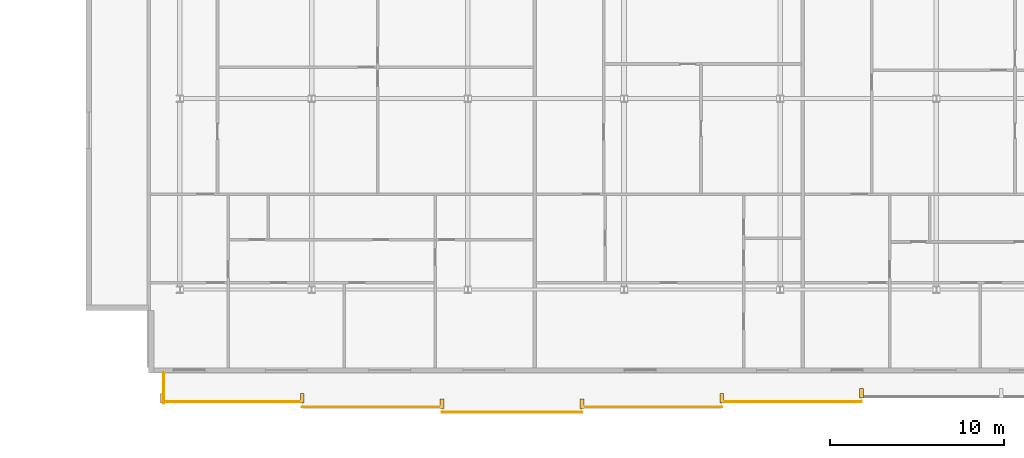
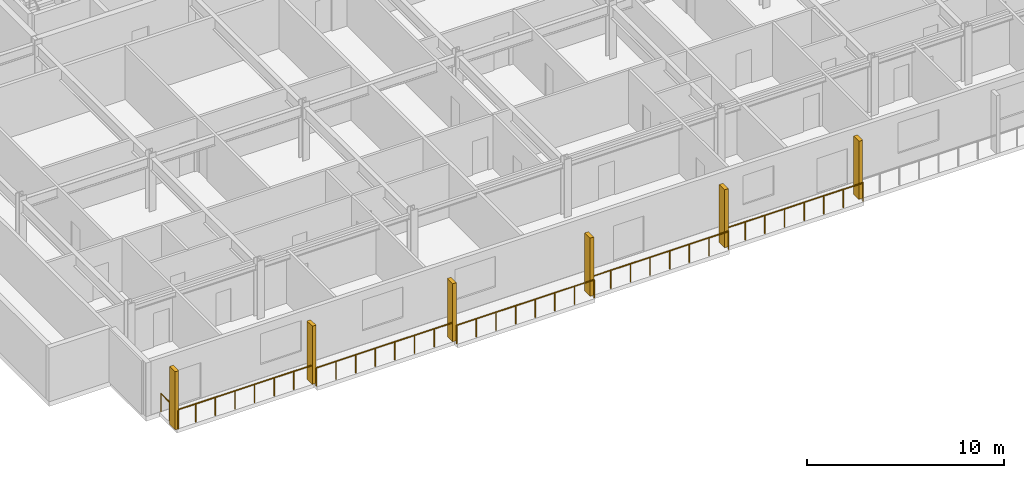
# One storey, part 31 of 36: 6 railings, 6 shading devices.
"""IFC4 building model written with IfcOpenShell, lengths in metres."""

from ifc_helpers import new_model, si_unit, direction, frame, origin, origin_2d, place, context, subcontext, project, spatial, rectangle, circle, extrude, material, type_object, element, save


model = new_model("IFC4")

# Units and contexts
model_context = context("Model", 3, precision=1e-05, world=origin(), true_north=direction((0.0, 1.0)))
body_context = subcontext(model_context, "Body", "Model", "MODEL_VIEW")
ifc_project = project(units=[si_unit("LENGTHUNIT", "METRE"), si_unit("AREAUNIT", "SQUARE_METRE"), si_unit("VOLUMEUNIT", "CUBIC_METRE"), si_unit("PLANEANGLEUNIT", "RADIAN"), si_unit("MASSUNIT", "GRAM", prefix="KILO")], contexts=[model_context])

# Site, building, storey
site_placement = place(None, origin())
site = spatial("IfcSite", under=ifc_project, at=site_placement, CompositionType="ELEMENT")
building_placement = place(site_placement, origin())
building = spatial("IfcBuilding", under=site, at=building_placement, Name="Korimba Cascade Residences", CompositionType="ELEMENT")
storey_placement = place(building_placement, frame((0.0, 0.0, 142.89990234375)))
storey = spatial("IfcBuildingStorey", under=building, at=storey_placement, Name="L41", CompositionType="ELEMENT", Elevation=142.89990234375)

# Railings
ifc_material_1 = material(Name="Laminated Glass and Bronze Balustrade", Category="glass")
railing_type = type_object("IfcRailingType", Name="RLG-LOG-1150", PredefinedType="BALUSTRADE", material=ifc_material_1)
for number, where, name in (
    (1, (73.5, -10.669921875, 0.0), "L41 Perimeter Guardrail RLG-L41-T2-LOG-01"),
    (2, (81.55712890625, -10.969970703125, 0.0), "L41 Perimeter Guardrail RLG-L41-T2-LOG-02"),
    (3, (89.6142578125, -11.27001953125, 0.0), "L41 Perimeter Guardrail RLG-L41-T2-LOG-03"),
    (4, (97.67138671875, -10.969970703125, 0.0), "L41 Perimeter Guardrail RLG-L41-T2-LOG-04"),
    (5, (105.728515625, -10.669921875, 0.0), "L41 Perimeter Guardrail RLG-L41-T2-LOG-05"),
):
    element("IfcRailing", number, at=place(storey_placement, frame(where)), inside=storey, type_object=railing_type, Name=name, PredefinedType="BALUSTRADE", context=body_context, shape_type="SweptSolid", body=[
        extrude(circle(Radius=0.02392578125, at=origin_2d()), frame((0.0, 0.0, 1.1259765625), z_axis=(1.0, 0.0, 0.0), x_axis=(0.0, 1.0, 0.0)), (0.0, 0.0, 1.0), 8.05712890625),
        extrude(circle(Radius=0.02099609375, at=origin_2d()), origin(), (0.0, 0.0, 1.0), 1.101806640625),
        extrude(circle(Radius=0.02099609375, at=origin_2d()), frame((1.151123046875, 0.0, 0.0)), (0.0, 0.0, 1.0), 1.101806640625),
        extrude(circle(Radius=0.02099609375, at=origin_2d()), frame((2.302001953125, 0.0, 0.0)), (0.0, 0.0, 1.0), 1.101806640625),
        extrude(circle(Radius=0.02099609375, at=origin_2d()), frame((3.453125, 0.0, 0.0)), (0.0, 0.0, 1.0), 1.101806640625),
        extrude(circle(Radius=0.02099609375, at=origin_2d()), frame((4.60400390625, 0.0, 0.0)), (0.0, 0.0, 1.0), 1.101806640625),
        extrude(circle(Radius=0.02099609375, at=origin_2d()), frame((5.755126953125, 0.0, 0.0)), (0.0, 0.0, 1.0), 1.101806640625),
        extrude(circle(Radius=0.02099609375, at=origin_2d()), frame((6.906005859375, 0.0, 0.0)), (0.0, 0.0, 1.0), 1.101806640625),
        extrude(circle(Radius=0.02099609375, at=origin_2d()), frame((8.05712890625, 0.0, 0.0)), (0.0, 0.0, 1.0), 1.101806640625),
    ])
railing_placement = place(storey_placement, frame((73.580078125, -9.0, 0.0)))
element("IfcRailing", 6, at=railing_placement, inside=storey, type_object=railing_type, Name="L41 Perimeter Guardrail RLG-L41-T2-LOG-08", PredefinedType="BALUSTRADE", context=body_context, shape_type="SweptSolid", body=[
    extrude(circle(Radius=0.02392578125, at=origin_2d()), frame((0.0, 0.0, 1.1259765625), z_axis=(0.0, -1.0, 0.0), x_axis=(1.0, 0.0, 0.0)), (0.0, 0.0, 1.0), 1.75),
    extrude(circle(Radius=0.02099609375, at=origin_2d()), origin(), (0.0, 0.0, 1.0), 1.101806640625),
    extrude(circle(Radius=0.02099609375, at=origin_2d()), frame((0.0, -0.875, 0.0)), (0.0, 0.0, 1.0), 1.101806640625),
    extrude(circle(Radius=0.02099609375, at=origin_2d()), frame((0.0, -1.75, 0.0)), (0.0, 0.0, 1.0), 1.101806640625),
])

# Shading devices
ifc_material_2 = material(Name="Honed Sandstone Precast Fin", Category="masonry")
shading_device_type = type_object("IfcShadingDeviceType", Name="SHD-FIN-550", PredefinedType="USERDEFINED", material=ifc_material_2)
for number, where, z_axis, x_axis, name in (
    (7, (73.5, -10.47509765625, 0.0), (0.0, 0.0, 1.0), (1.0, 0.0, 0.0), "L41 T2 Warm-Stone Loggia Fin 1"),
    (8, (81.55712890625, -10.47509765625, 0.0), (0.0, 0.0, 1.0), (1.0, 0.0, 0.0), "L41 T2 Warm-Stone Loggia Fin 2"),
    (9, (89.6142578125, -10.77490234375, 0.0), (0.0, 0.0, 1.0), (1.0, 0.0, 0.0), "L41 T2 Warm-Stone Loggia Fin 3"),
    (10, (97.67138671875, -10.77490234375, 0.0), (0.0, 0.0, 1.0), (1.0, 0.0, 0.0), "L41 T2 Warm-Stone Loggia Fin 4"),
    (11, (105.728515625, -10.47509765625, 0.0), (0.0, 0.0, 1.0), (1.0, 0.0, 0.0), "L41 T2 Warm-Stone Loggia Fin 5"),
    (12, (113.78564453125, -10.175048828125, 0.0), (0.0, 0.0, 1.0), (1.0, 0.0, 0.0), "L41 T2 Warm-Stone Loggia Fin 6"),
):
    element("IfcShadingDevice", number, at=place(storey_placement, frame(where, z_axis=z_axis, x_axis=x_axis)), inside=storey, type_object=shading_device_type, Name=name, ObjectType="FIN", PredefinedType="USERDEFINED", context=body_context, shape_type="SweptSolid", body=[
        extrude(rectangle(XDim=0.219970703125, YDim=0.550048828125, at=origin_2d()), origin(), (0.0, 0.0, 1.0), 3.60009765625),
    ])

save(model, "model.ifc")
